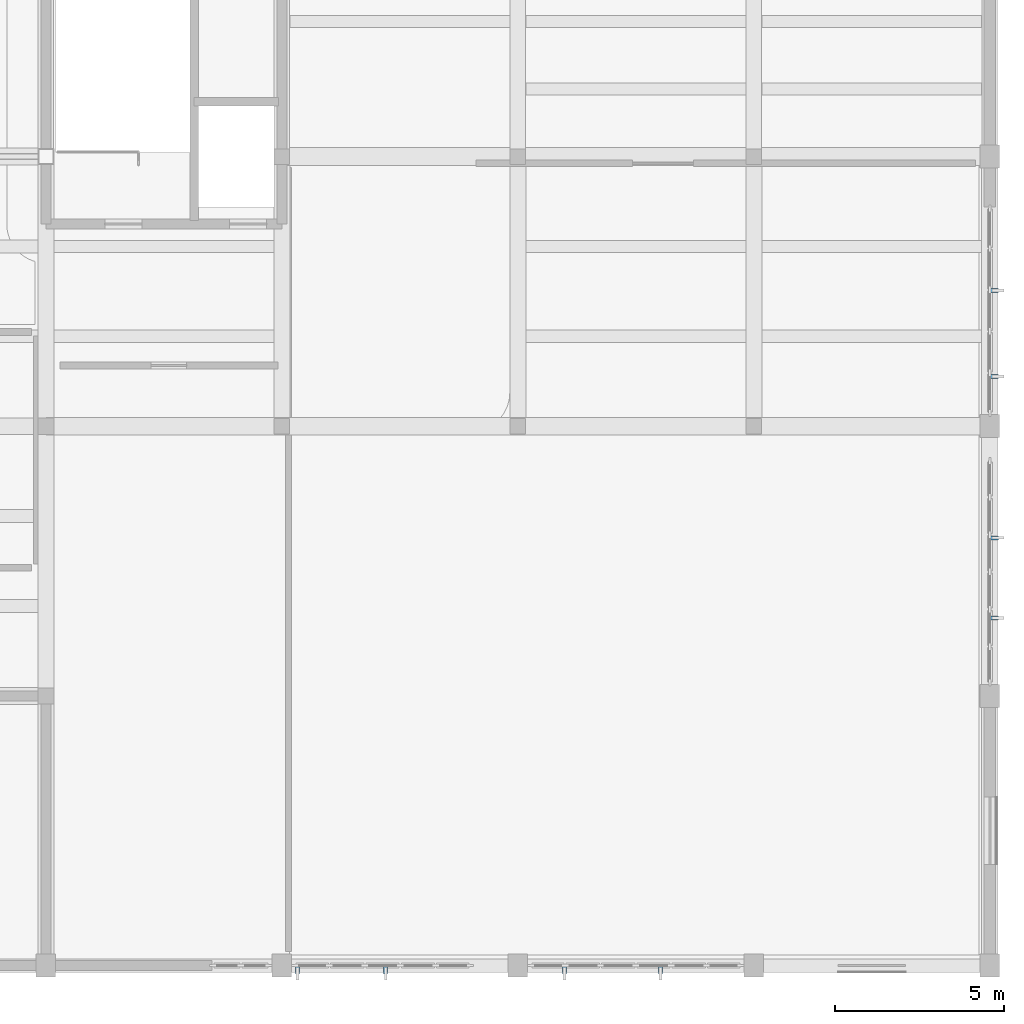
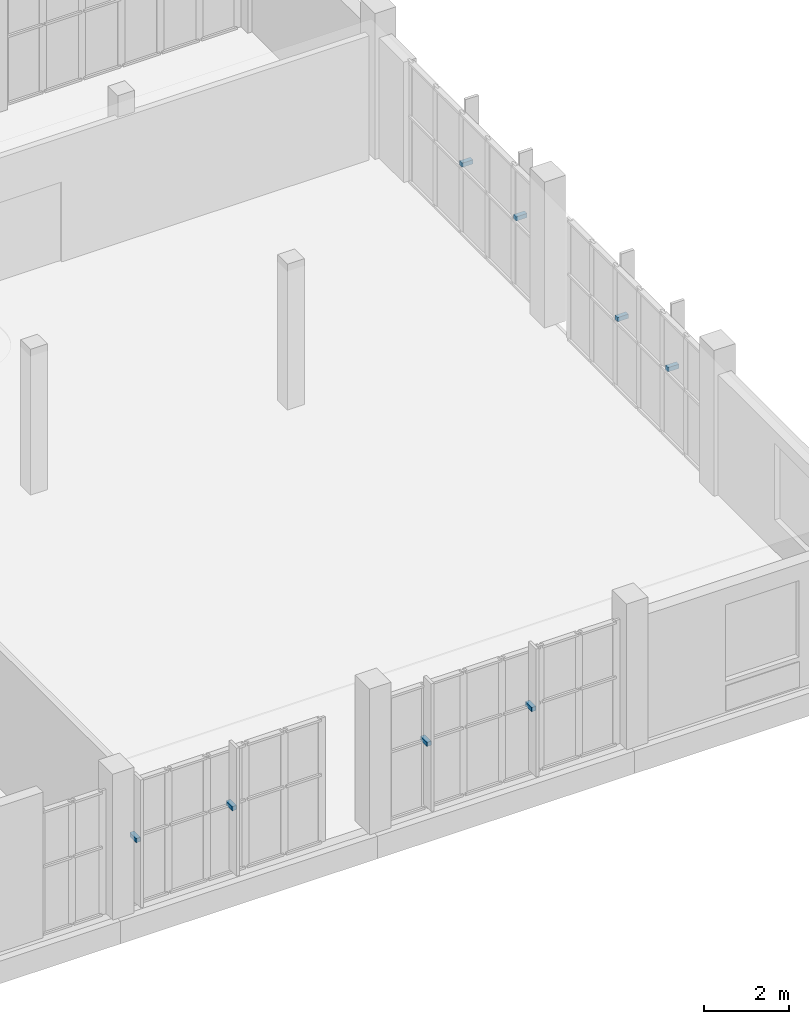
# One storey, part 62 of 70: 8 discrete accessories.
"""IFC4 building model written with IfcOpenShell, lengths in metres."""

from ifc_helpers import new_model, si_unit, direction, frame, origin, origin_2d, place, context, subcontext, project, spatial, rectangle, extrude, material, type_object, element, save


model = new_model("IFC4")

# Units and contexts
model_context = context("Model", 3, precision=1e-05, world=origin(), true_north=direction((0.0, 1.0)))
body_context = subcontext(model_context, "Body", "Model", "MODEL_VIEW")
ifc_project = project(units=[si_unit("LENGTHUNIT", "METRE"), si_unit("AREAUNIT", "SQUARE_METRE"), si_unit("VOLUMEUNIT", "CUBIC_METRE"), si_unit("PLANEANGLEUNIT", "RADIAN"), si_unit("MASSUNIT", "GRAM", prefix="KILO")], contexts=[model_context])

# Site, building, storey
site_placement = place(None, origin())
site = spatial("IfcSite", under=ifc_project, at=site_placement, CompositionType="ELEMENT")
building_placement = place(site_placement, origin())
building = spatial("IfcBuilding", under=site, at=building_placement, Name="Solvane Community Centre", CompositionType="ELEMENT")
storey_placement = place(building_placement, frame((0.0, 0.0, 9.60009765625)))
storey = spatial("IfcBuildingStorey", under=building, at=storey_placement, Name="L02", CompositionType="ELEMENT", Elevation=9.60009765625)

# Discrete accessories
ifc_material = material(Name="Steel ASTM A572 Grade 50", Category="steel")
discrete_accessory_type = type_object("IfcDiscreteAccessoryType", Name="Fin Mounting Bracket 120x120", PredefinedType="BRACKET", material=ifc_material)
for number, where, z_axis, x_axis, name in (
    (1, (158.233154296875, 5.89990234375, 1.929931640625), (0.0, 0.0, 1.0), (-1.0, 0.0, 0.0), "Fin Bracket 69"),
    (2, (155.38232421875, 5.89990234375, 1.929931640625), (0.0, 0.0, 1.0), (-1.0, 0.0, 0.0), "Fin Bracket 70"),
    (3, (150.076904296875, 5.89990234375, 1.929931640625), (0.0, 0.0, 1.0), (-1.0, 0.0, 0.0), "Fin Bracket 71"),
    (4, (147.461669921875, 5.89990234375, 1.929931640625), (0.0, 0.0, 1.0), (-1.0, 0.0, 0.0), "Fin Bracket 72"),
    (5, (168.10009765625, 26.02490234375, 1.929931640625), (0.0, 0.0, 1.0), (0.0, -1.0, 0.0), "Fin Bracket 91"),
    (6, (168.10009765625, 23.47509765625, 1.929931640625), (0.0, 0.0, 1.0), (0.0, -1.0, 0.0), "Fin Bracket 92"),
    (7, (168.10009765625, 18.68994140625, 1.929931640625), (0.0, 0.0, 1.0), (0.0, -1.0, 0.0), "Fin Bracket 93"),
    (8, (168.10009765625, 16.31005859375, 1.929931640625), (0.0, 0.0, 1.0), (0.0, -1.0, 0.0), "Fin Bracket 94"),
):
    element("IfcDiscreteAccessory", number, at=place(storey_placement, frame(where, z_axis=z_axis, x_axis=x_axis)), inside=storey, type_object=discrete_accessory_type, Name=name, PredefinedType="BRACKET", context=body_context, shape_type="SweptSolid", body=[
        extrude(rectangle(XDim=0.1201171875, YDim=0.300048828125, at=origin_2d()), origin(), (0.0, 0.0, 1.0), 0.1201171875),
    ])

save(model, "model.ifc")
